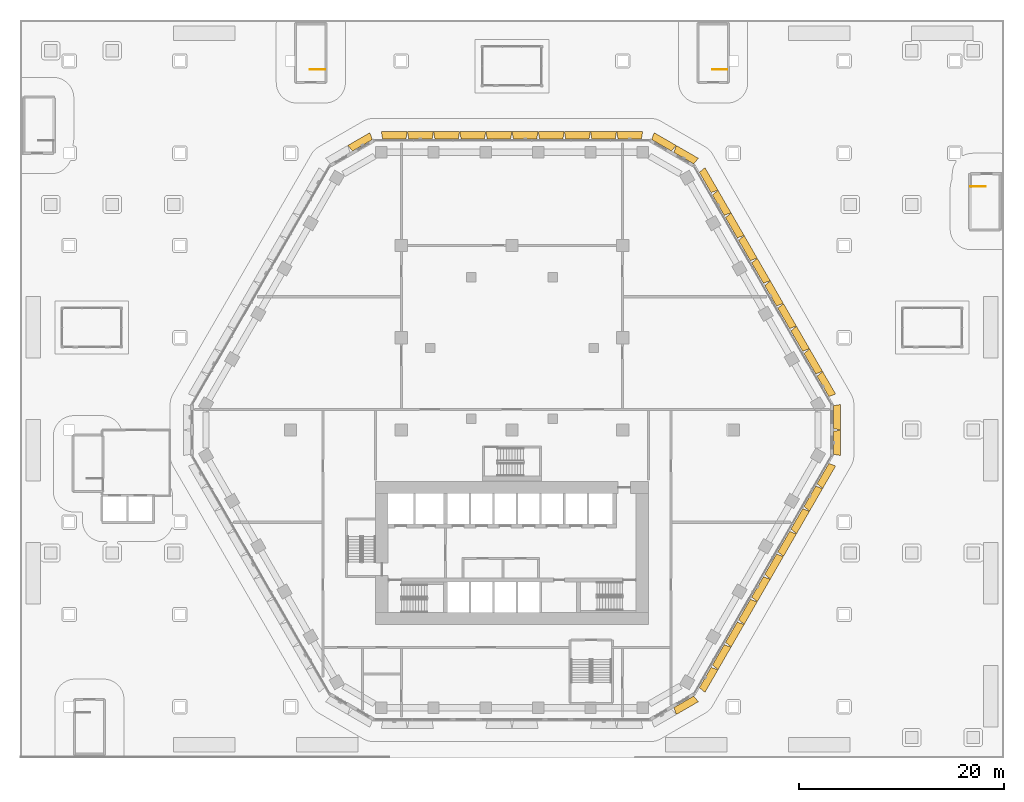
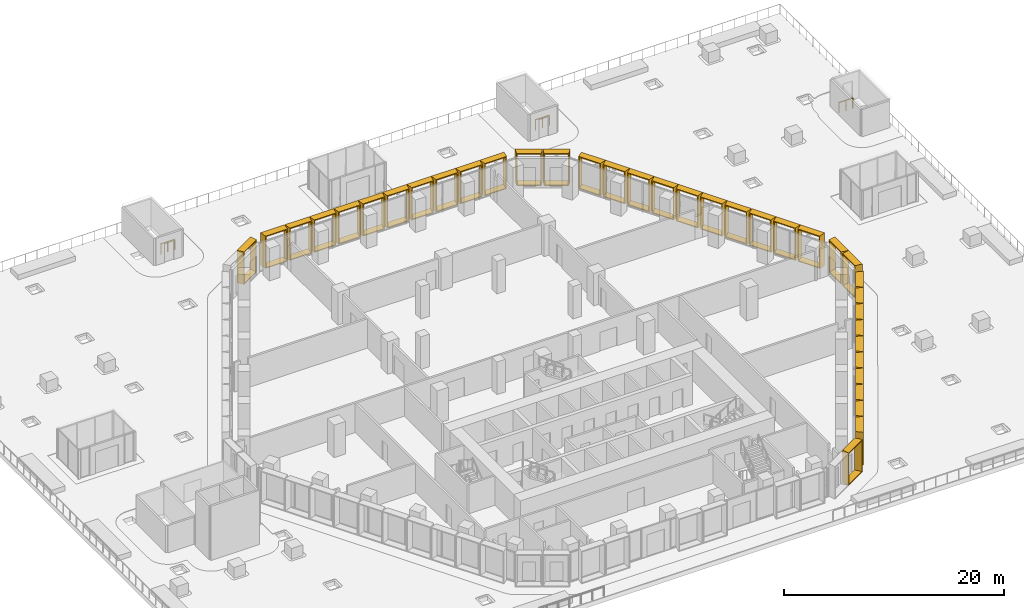
# One storey, part 37 of 38: 36 shading devices, 3 railings.
"""IFC4 building model written with IfcOpenShell, lengths in metres."""

from ifc_helpers import new_model, entity, si_unit, direction, frame, origin, origin_2d, place, context, subcontext, project, spatial, rectangle, extrude, source, transform, mapped, material, type_object, type_shapes, element, save


model = new_model("IFC4")

# Units and contexts
model_context = context("Model", 3, precision=1e-05, world=origin(), true_north=direction((0.0, 1.0)))
body_context = subcontext(model_context, "Body", "Model", "MODEL_VIEW")
ifc_project = project(units=[si_unit("LENGTHUNIT", "METRE"), si_unit("AREAUNIT", "SQUARE_METRE"), si_unit("VOLUMEUNIT", "CUBIC_METRE"), si_unit("PLANEANGLEUNIT", "RADIAN"), si_unit("MASSUNIT", "GRAM", prefix="KILO")], contexts=[model_context])

# Site, building, storey
site_placement = place(None, origin())
site = spatial("IfcSite", under=ifc_project, at=site_placement, CompositionType="ELEMENT")
building_placement = place(site_placement, origin())
building = spatial("IfcBuilding", under=site, at=building_placement, Name="Beryl Residences", CompositionType="ELEMENT")
storey_placement = place(building_placement, frame((0.0, 0.0, 9.0)))
storey = spatial("IfcBuildingStorey", under=building, at=storey_placement, Name="L02", CompositionType="ELEMENT", Elevation=9.0)

# Shading devices
ifc_material_1 = material(Name="Aluminium pale anodised", Category="aluminium")
shading_device_type_1 = type_object("IfcShadingDeviceType", Name="FR250-70A-H36 OUTER SKIN frame 700 mm deep, splay 10/10 deg, 2500 x 3600 mm cell", PredefinedType="USERDEFINED", material=ifc_material_1)
cartesian_point_1 = entity("IfcCartesianPoint", [-1.116455078125, 0.0])
cartesian_point_2 = entity("IfcCartesianPoint", [-1.03515625, 0.10009765625])
cartesian_point_3 = entity("IfcCartesianPoint", [-1.239990234375, 0.0])
cartesian_point_4 = entity("IfcCartesianPoint", [-1.15869140625, 0.10009765625])
shared_shape_1 = source(origin(), body_context, "Body", "SweptSolid", [
    entity("IfcExtrudedAreaSolidTapered", entity("IfcArbitraryProfileDefWithVoids", "AREA", None, entity("IfcPolyline", [cartesian_point_1, entity("IfcCartesianPoint", [1.116455078125, 0.0]), entity("IfcCartesianPoint", [1.116455078125, 3.60009765625]), entity("IfcCartesianPoint", [-1.116455078125, 3.60009765625]), cartesian_point_1]), [entity("IfcPolyline", [cartesian_point_2, entity("IfcCartesianPoint", [1.03515625, 0.10009765625]), entity("IfcCartesianPoint", [1.03515625, 3.5]), entity("IfcCartesianPoint", [-1.03515625, 3.5]), cartesian_point_2])]), entity("IfcAxis2Placement3D", entity("IfcCartesianPoint", [0.0, 0.0, 0.0]), entity("IfcDirection", [0.0, 1.0, 0.0]), entity("IfcDirection", [-1.0, 0.0, 0.0])), entity("IfcDirection", [0.0, 0.0, 1.0]), 0.699951171875, entity("IfcArbitraryProfileDefWithVoids", "AREA", None, entity("IfcPolyline", [cartesian_point_3, entity("IfcCartesianPoint", [1.239990234375, 0.0]), entity("IfcCartesianPoint", [1.239990234375, 3.60009765625]), entity("IfcCartesianPoint", [-1.239990234375, 3.60009765625]), cartesian_point_3]), [entity("IfcPolyline", [cartesian_point_4, entity("IfcCartesianPoint", [1.15869140625, 0.10009765625]), entity("IfcCartesianPoint", [1.15869140625, 3.5]), entity("IfcCartesianPoint", [-1.15869140625, 3.5]), cartesian_point_4])])),
])
type_shapes(shading_device_type_1, [shared_shape_1])
for number, where, z_axis, x_axis, name in (
    (1, (-14.593017578125, 27.77490234375, 0.0), (0.0, 0.0, 1.0), (0.866025403784, 0.5, 0.0), "FR250-70A-H36 frame L02 N-NW 1"),
    (2, (16.758056640625, -26.52490234375, 0.0), (0.0, 0.0, 1.0), (-0.866025403784, -0.5, 0.0), "FR250-70A-H36 frame L02 S-SE 2"),
    (3, (31.35009765625, -1.25, 0.0), (0.0, 0.0, 1.0), (0.0, -1.0, 0.0), "FR250-70A-H36 frame L02 SE-NE 1"),
    (4, (31.35009765625, 1.25, 0.0), (0.0, 0.0, 1.0), (0.0, -1.0, 0.0), "FR250-70A-H36 frame L02 SE-NE 2"),
    (5, (16.758056640625, 26.52490234375, 0.0), (0.0, 0.0, 1.0), (0.866025403784, -0.5, 0.0), "FR250-70A-H36 frame L02 NE-N 1"),
    (6, (14.593017578125, 27.77490234375, 0.0), (0.0, 0.0, 1.0), (0.866025403784, -0.5, 0.0), "FR250-70A-H36 frame L02 NE-N 2"),
):
    element("IfcShadingDevice", number, at=place(storey_placement, frame(where, z_axis=z_axis, x_axis=x_axis)), inside=storey, type_object=shading_device_type_1, Name=name, ObjectType="OUTER SKIN", PredefinedType="USERDEFINED", context=body_context, shape_type="MappedRepresentation", body=[
        mapped(shared_shape_1, transform((0.0, 0.0, 0.0))),
    ])
ifc_material_2 = material(Name="Aluminium pale anodised", Category="aluminium")
shading_device_type_2 = type_object("IfcShadingDeviceType", Name="FR255-70A-H36 OUTER SKIN frame 700 mm deep, splay 10/10 deg, 2550 x 3600 mm cell", PredefinedType="USERDEFINED", material=ifc_material_2)
cartesian_point_5 = entity("IfcCartesianPoint", [-1.1416015625, 0.0])
cartesian_point_6 = entity("IfcCartesianPoint", [-1.060302734375, 0.10009765625])
cartesian_point_7 = entity("IfcCartesianPoint", [-1.264892578125, 0.0])
cartesian_point_8 = entity("IfcCartesianPoint", [-1.18359375, 0.10009765625])
shared_shape_2 = source(origin(), body_context, "Body", "SweptSolid", [
    entity("IfcExtrudedAreaSolidTapered", entity("IfcArbitraryProfileDefWithVoids", "AREA", None, entity("IfcPolyline", [cartesian_point_5, entity("IfcCartesianPoint", [1.1416015625, 0.0]), entity("IfcCartesianPoint", [1.1416015625, 3.60009765625]), entity("IfcCartesianPoint", [-1.1416015625, 3.60009765625]), cartesian_point_5]), [entity("IfcPolyline", [cartesian_point_6, entity("IfcCartesianPoint", [1.060302734375, 0.10009765625]), entity("IfcCartesianPoint", [1.060302734375, 3.5]), entity("IfcCartesianPoint", [-1.060302734375, 3.5]), cartesian_point_6])]), entity("IfcAxis2Placement3D", entity("IfcCartesianPoint", [0.0, 0.0, 0.0]), entity("IfcDirection", [0.0, 1.0, 0.0]), entity("IfcDirection", [-1.0, 0.0, 0.0])), entity("IfcDirection", [0.0, 0.0, 1.0]), 0.699951171875, entity("IfcArbitraryProfileDefWithVoids", "AREA", None, entity("IfcPolyline", [cartesian_point_7, entity("IfcCartesianPoint", [1.264892578125, 0.0]), entity("IfcCartesianPoint", [1.264892578125, 3.60009765625]), entity("IfcCartesianPoint", [-1.264892578125, 3.60009765625]), cartesian_point_7]), [entity("IfcPolyline", [cartesian_point_8, entity("IfcCartesianPoint", [1.18359375, 0.10009765625]), entity("IfcCartesianPoint", [1.18359375, 3.5]), entity("IfcCartesianPoint", [-1.18359375, 3.5]), cartesian_point_8])])),
])
type_shapes(shading_device_type_2, [shared_shape_2])
for number, where, z_axis, x_axis, name in (
    (7, (11.48291015625, 28.39990234375, 0.0), (0.0, 0.0, 1.0), (1.0, 0.0, 0.0), "FR255-70A-H36 frame L02 N 1"),
    (8, (8.930908203125, 28.39990234375, 0.0), (0.0, 0.0, 1.0), (1.0, 0.0, 0.0), "FR255-70A-H36 frame L02 N 2"),
    (9, (6.37890625, 28.39990234375, 0.0), (0.0, 0.0, 1.0), (1.0, 0.0, 0.0), "FR255-70A-H36 frame L02 N 3"),
    (10, (3.826904296875, 28.39990234375, 0.0), (0.0, 0.0, 1.0), (1.0, 0.0, 0.0), "FR255-70A-H36 frame L02 N 4"),
    (11, (1.27490234375, 28.39990234375, 0.0), (0.0, 0.0, 1.0), (1.0, 0.0, 0.0), "FR255-70A-H36 frame L02 N 5"),
    (12, (-1.277099609375, 28.39990234375, 0.0), (0.0, 0.0, 1.0), (1.0, 0.0, 0.0), "FR255-70A-H36 frame L02 N 6"),
    (13, (-3.8291015625, 28.39990234375, 0.0), (0.0, 0.0, 1.0), (1.0, 0.0, 0.0), "FR255-70A-H36 frame L02 N 7"),
    (14, (-6.381103515625, 28.39990234375, 0.0), (0.0, 0.0, 1.0), (1.0, 0.0, 0.0), "FR255-70A-H36 frame L02 N 8"),
    (15, (-8.93310546875, 28.39990234375, 0.0), (0.0, 0.0, 1.0), (1.0, 0.0, 0.0), "FR255-70A-H36 frame L02 N 9"),
    (16, (-11.485107421875, 28.39990234375, 0.0), (0.0, 0.0, 1.0), (1.0, 0.0, 0.0), "FR255-70A-H36 frame L02 N 10"),
    (17, (18.85400390625, -24.14501953125, 0.0), (0.0, 0.0, 1.0), (-0.5, -0.866025403784, 0.0), "FR255-70A-H36 frame L02 SE 1"),
    (18, (20.1298828125, -21.93505859375, 0.0), (0.0, 0.0, 1.0), (-0.5, -0.866025403784, 0.0), "FR255-70A-H36 frame L02 SE 2"),
    (19, (21.406005859375, -19.72412109375, 0.0), (0.0, 0.0, 1.0), (-0.5, -0.866025403784, 0.0), "FR255-70A-H36 frame L02 SE 3"),
    (20, (22.681884765625, -17.513916015625, 0.0), (0.0, 0.0, 1.0), (-0.5, -0.866025403784, 0.0), "FR255-70A-H36 frame L02 SE 4"),
    (21, (23.9580078125, -15.303955078125, 0.0), (0.0, 0.0, 1.0), (-0.5, -0.866025403784, 0.0), "FR255-70A-H36 frame L02 SE 5"),
    (22, (25.23291015625, -13.093994140625, 0.0), (0.0, 0.0, 1.0), (-0.5, -0.866025403784, 0.0), "FR255-70A-H36 frame L02 SE 6"),
    (23, (26.509033203125, -10.884033203125, 0.0), (0.0, 0.0, 1.0), (-0.5, -0.866025403784, 0.0), "FR255-70A-H36 frame L02 SE 7"),
    (24, (27.784912109375, -8.674072265625, 0.0), (0.0, 0.0, 1.0), (-0.5, -0.866025403784, 0.0), "FR255-70A-H36 frame L02 SE 8"),
    (25, (29.06103515625, -6.464111328125, 0.0), (0.0, 0.0, 1.0), (-0.5, -0.866025403784, 0.0), "FR255-70A-H36 frame L02 SE 9"),
    (26, (30.3369140625, -4.25390625, 0.0), (0.0, 0.0, 1.0), (-0.5, -0.866025403784, 0.0), "FR255-70A-H36 frame L02 SE 10"),
    (27, (30.3359375, 4.2548828125, 0.0), (0.0, 0.0, 1.0), (0.5, -0.866025403784, 0.0), "FR255-70A-H36 frame L02 NE 1"),
    (28, (29.06005859375, 6.465087890625, 0.0), (0.0, 0.0, 1.0), (0.5, -0.866025403784, 0.0), "FR255-70A-H36 frame L02 NE 2"),
    (29, (27.783935546875, 8.676025390625, 0.0), (0.0, 0.0, 1.0), (0.5, -0.866025403784, 0.0), "FR255-70A-H36 frame L02 NE 3"),
    (30, (26.508056640625, 10.885986328125, 0.0), (0.0, 0.0, 1.0), (0.5, -0.866025403784, 0.0), "FR255-70A-H36 frame L02 NE 4"),
    (31, (25.23193359375, 13.095947265625, 0.0), (0.0, 0.0, 1.0), (0.5, -0.866025403784, 0.0), "FR255-70A-H36 frame L02 NE 5"),
    (32, (23.95703125, 15.305908203125, 0.0), (0.0, 0.0, 1.0), (0.5, -0.866025403784, 0.0), "FR255-70A-H36 frame L02 NE 6"),
    (33, (22.680908203125, 17.51611328125, 0.0), (0.0, 0.0, 1.0), (0.5, -0.866025403784, 0.0), "FR255-70A-H36 frame L02 NE 7"),
    (34, (21.405029296875, 19.72607421875, 0.0), (0.0, 0.0, 1.0), (0.5, -0.866025403784, 0.0), "FR255-70A-H36 frame L02 NE 8"),
    (35, (20.12890625, 21.93603515625, 0.0), (0.0, 0.0, 1.0), (0.5, -0.866025403784, 0.0), "FR255-70A-H36 frame L02 NE 9"),
    (36, (18.85302734375, 24.14599609375, 0.0), (0.0, 0.0, 1.0), (0.5, -0.866025403784, 0.0), "FR255-70A-H36 frame L02 NE 10"),
):
    element("IfcShadingDevice", number, at=place(storey_placement, frame(where, z_axis=z_axis, x_axis=x_axis)), inside=storey, type_object=shading_device_type_2, Name=name, ObjectType="OUTER SKIN", PredefinedType="USERDEFINED", context=body_context, shape_type="MappedRepresentation", body=[
        mapped(shared_shape_2, transform((0.0, 0.0, 0.0))),
    ])

# Railings
ifc_material_3 = material(Name="Stainless steel balustrade with glass infill", Category="steel")
railing_type = type_object("IfcRailingType", Name="SG1 stair guard 1100 mm", PredefinedType="GUARDRAIL", material=ifc_material_3)
for number, where, name in (
    (37, (-18.25, 35.14990234375, 0.0), "L02 PS-1 top well guard 1"),
    (38, (21.0, 35.14990234375, 0.0), "L02 PS-2 top well guard 1"),
):
    element("IfcRailing", number, at=place(storey_placement, frame(where)), inside=storey, type_object=railing_type, Name=name, PredefinedType="GUARDRAIL", context=body_context, shape_type="SweptSolid", body=[
        extrude(rectangle(XDim=0.048095703125, YDim=0.048095703125, at=origin_2d()), frame((0.0, 0.0, 1.1357421875), z_axis=(-1.0, 0.0, 0.0), x_axis=(0.0, -1.0, 0.0)), (0.0, 0.0, 1.0), 1.449951171875),
        extrude(rectangle(XDim=0.0419921875, YDim=0.0419921875, at=origin_2d()), origin(), (0.0, 0.0, 1.0), 1.11181640625),
        extrude(rectangle(XDim=0.0419921875, YDim=0.0419921875, at=origin_2d()), frame((-0.72509765625, 0.0, 0.0)), (0.0, 0.0, 1.0), 1.11181640625),
        extrude(rectangle(XDim=0.0419921875, YDim=0.0419921875, at=origin_2d()), frame((-1.449951171875, 0.0, 0.0)), (0.0, 0.0, 1.0), 1.11181640625),
    ])
railing_placement = place(storey_placement, frame((44.75, 23.75, 0.0)))
element("IfcRailing", 39, at=railing_placement, inside=storey, type_object=railing_type, Name="L02 PS-5 top well guard 1", PredefinedType="GUARDRAIL", context=body_context, shape_type="SweptSolid", body=[
    extrude(rectangle(XDim=0.048095703125, YDim=0.048095703125, at=origin_2d()), frame((0.0, 0.0, 1.1357421875), z_axis=(1.0, 0.0, 0.0), x_axis=(0.0, 1.0, 0.0)), (0.0, 0.0, 1.0), 1.449951171875),
    extrude(rectangle(XDim=0.0419921875, YDim=0.0419921875, at=origin_2d()), origin(), (0.0, 0.0, 1.0), 1.11181640625),
    extrude(rectangle(XDim=0.0419921875, YDim=0.0419921875, at=origin_2d()), frame((0.72509765625, 0.0, 0.0)), (0.0, 0.0, 1.0), 1.11181640625),
    extrude(rectangle(XDim=0.0419921875, YDim=0.0419921875, at=origin_2d()), frame((1.449951171875, 0.0, 0.0)), (0.0, 0.0, 1.0), 1.11181640625),
])

save(model, "model.ifc")
